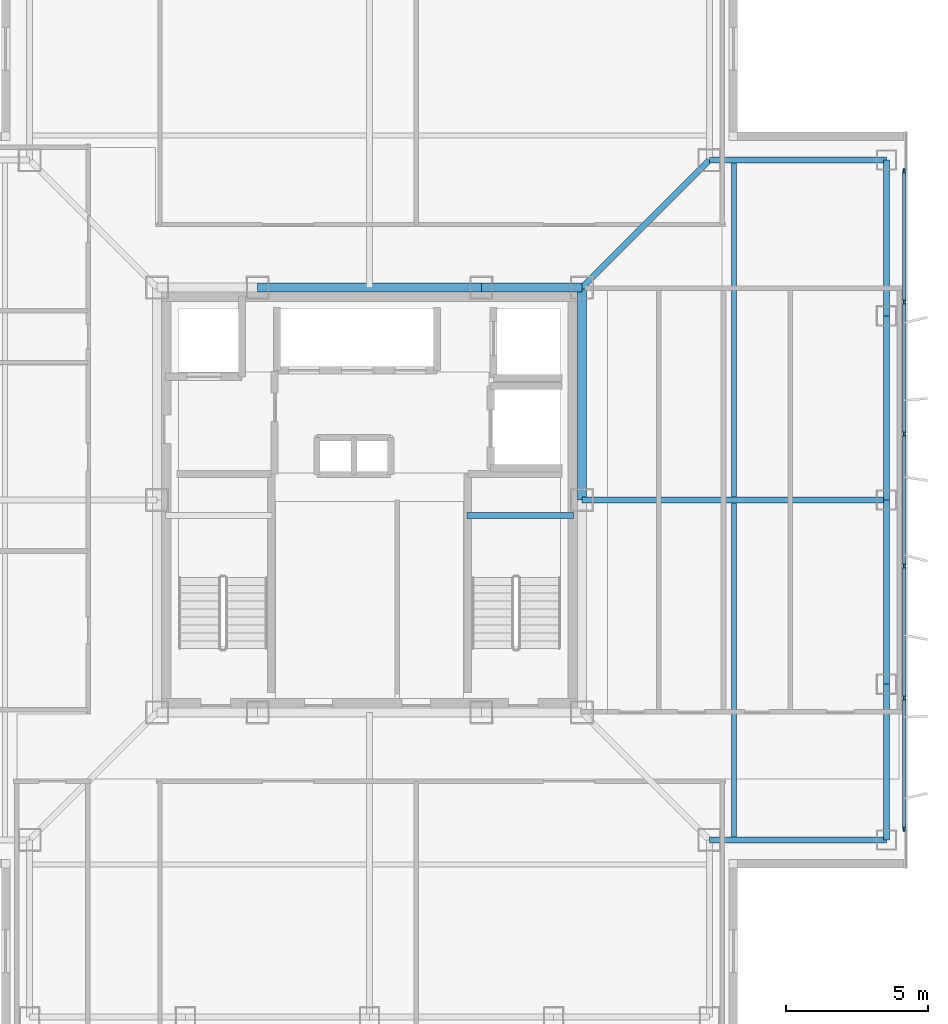
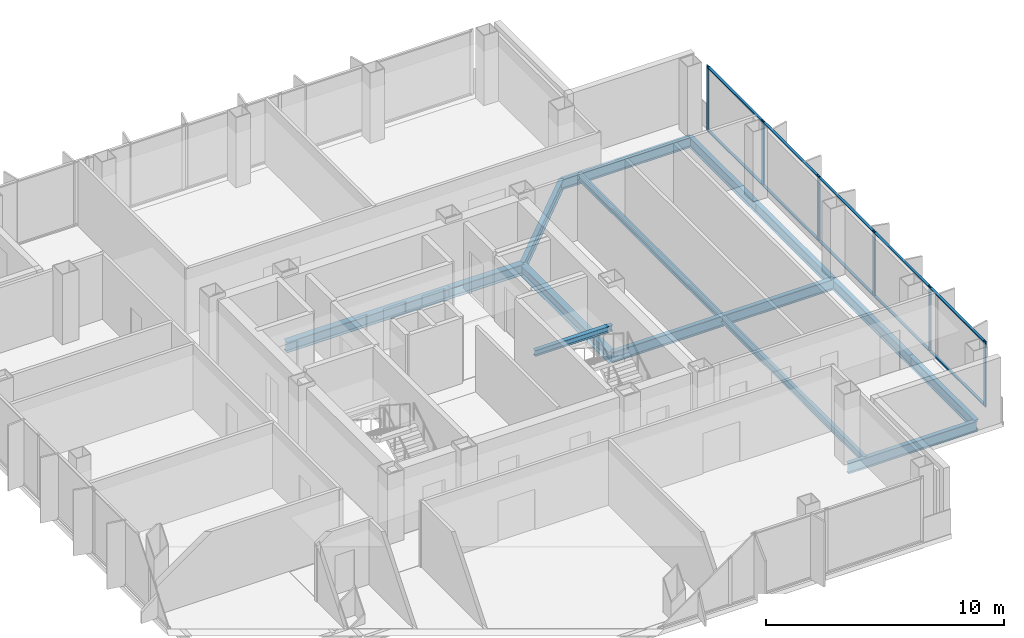
# One storey, part 5 of 15: 16 members, 13 beams, 1 element without a shape of its own.
"""IFC4 building model written with IfcOpenShell, lengths in metres."""

import ifcopenshell
import ifcopenshell.guid

model = None  # the IFC model being written
_history = None  # IfcOwnerHistory: only IFC2X3 demands one
_inside = {}  # id of a spatial element -> (the spatial element, [elements in it])
_under = {}  # id of a project, library or spatial element -> (it, [spatial elements below it])
_declared = {}  # id of a project -> (the project, [libraries it declares])
_typed = {}  # id of a type object -> (the type object, [elements of that type])
_made_of = {}  # id of a material, layer set ... -> (it, [elements and type objects made of it])


def new_model(schema):
    """Start an empty IFC model of exactly this schema.

    Asked for "IFC4X3", IfcOpenShell would pick the latest addendum, in which some entities
    have other attributes; the version numbers below select the first issue.
    IFC2X3 requires an IfcOwnerHistory on every rooted entity: one is made here for all.
    """
    global model, _history
    if schema == "IFC4X3":
        model = ifcopenshell.file(schema_version=(4, 3, 0, 0))
    else:
        model = ifcopenshell.file(schema=schema)
    _inside.clear()
    _under.clear()
    _declared.clear()
    _typed.clear()
    _made_of.clear()
    _history = None
    if model.schema == "IFC2X3":
        org = make("IfcOrganization", Name="unknown")
        user = make(
            "IfcPersonAndOrganization",
            ThePerson=make("IfcPerson", FamilyName="unknown"),
            TheOrganization=org,
        )
        app = make(
            "IfcApplication",
            ApplicationDeveloper=org,
            Version="unknown",
            ApplicationFullName="unknown",
            ApplicationIdentifier="unknown",
        )
        _history = make(
            "IfcOwnerHistory",
            OwningUser=user,
            OwningApplication=app,
            ChangeAction="ADDED",
            CreationDate=0,
        )
    return model


def make(cls, **values):
    """One entity of the class cls with the attributes given. An attribute that is None is left unset."""
    return model.create_entity(
        cls, **{name: value for name, value in values.items() if value is not None}
    )


def rooted(cls, **values):
    """An entity with a GlobalId (a new one), such as an element, a storey or a relation."""
    return make(cls, GlobalId=ifcopenshell.guid.new(), OwnerHistory=_history, **values)


def si_unit(unit_type, name, prefix=None):
    """IfcSIUnit, for example si_unit("LENGTHUNIT", "METRE", prefix="MILLI")."""
    return make("IfcSIUnit", UnitType=unit_type, Prefix=prefix, Name=name)


def assignment(units):
    """IfcUnitAssignment: the units of a project."""
    return None if units is None else make("IfcUnitAssignment", Units=units)


def point(xyz):
    """IfcCartesianPoint."""
    return None if xyz is None else make("IfcCartesianPoint", Coordinates=xyz)


def direction(xyz):
    """IfcDirection."""
    return None if xyz is None else make("IfcDirection", DirectionRatios=xyz)


def frame(location, z_axis=None, x_axis=None):
    """IfcAxis2Placement3D, a coordinate frame: its origin and axes. An axis left out is left unset."""
    return make(
        "IfcAxis2Placement3D",
        Location=point(location),
        Axis=direction(z_axis),
        RefDirection=direction(x_axis),
    )


def frame_2d(location, x_axis=None):
    """IfcAxis2Placement2D, a coordinate frame in the plane: its origin and x axis."""
    return make(
        "IfcAxis2Placement2D", Location=point(location), RefDirection=direction(x_axis)
    )


def origin():
    """The frame at (0, 0, 0) with its axes left unset."""
    return frame((0.0, 0.0, 0.0))


def origin_2d():
    """The frame at (0, 0) in the plane with its x axis left unset."""
    return frame_2d((0.0, 0.0))


def place(relative_to, where):
    """IfcLocalPlacement: puts the frame where relative to a parent placement (None: the world)."""
    return make(
        "IfcLocalPlacement", PlacementRelTo=relative_to, RelativePlacement=where
    )


def context(
    kind, dimensions, precision=None, world=None, true_north=None, identifier=None
):
    """IfcGeometricRepresentationContext, for example the 3D "Model" context."""
    return make(
        "IfcGeometricRepresentationContext",
        ContextIdentifier=identifier,
        ContextType=kind,
        CoordinateSpaceDimension=dimensions,
        Precision=precision,
        WorldCoordinateSystem=world,
        TrueNorth=true_north,
    )


def subcontext(parent, identifier, kind, view, scale=None):
    """IfcGeometricRepresentationSubContext, for example "Body" below "Model"."""
    return make(
        "IfcGeometricRepresentationSubContext",
        ContextIdentifier=identifier,
        ContextType=kind,
        ParentContext=parent,
        TargetScale=scale,
        TargetView=view,
    )


def project(units=None, contexts=None):
    """IfcProject with its units and contexts."""
    return rooted(
        "IfcProject",
        Name="project",
        RepresentationContexts=contexts,
        UnitsInContext=assignment(units),
    )


def spatial(cls, under=None, at=None, **own):
    """A site, building, storey or space (cls), placed at a placement, below another one or the project."""
    s = rooted(cls, ObjectPlacement=at, **own)
    if under is not None:
        _under.setdefault(under.id(), (under, []))[1].append(s)
    return s


def profile(cls, at=None, kind="AREA", **sizes):
    """A parametric profile (cls). Its sizes go by their IFC names, for example OverallWidth=200.0."""
    return make(cls, ProfileType=kind, Position=at, **sizes)


def rectangle(**sizes):
    """IfcRectangleProfileDef."""
    return profile("IfcRectangleProfileDef", **sizes)


def i_section(**sizes):
    """IfcIShapeProfileDef."""
    return profile("IfcIShapeProfileDef", **sizes)


def extrude(swept, where, along, depth):
    """IfcExtrudedAreaSolid: the profile swept, set in the frame where, extruded along a direction by depth."""
    return make(
        "IfcExtrudedAreaSolid",
        SweptArea=swept,
        Position=where,
        ExtrudedDirection=direction(along),
        Depth=depth,
    )


def shape(context_of_items, identifier, shape_type, items):
    """IfcShapeRepresentation: the items that make up one representation, for example the "Body"."""
    return make(
        "IfcShapeRepresentation",
        ContextOfItems=context_of_items,
        RepresentationIdentifier=identifier,
        RepresentationType=shape_type,
        Items=items,
    )


def material(Name=None, Category=None):
    """IfcMaterial."""
    return make("IfcMaterial", Name=Name, Category=Category)


def layer(
    of_material, thickness, ventilated=None, Name=None, Category=None, Priority=None
):
    """IfcMaterialLayer: one layer of a wall or slab, of a material (None: an air gap)."""
    return make(
        "IfcMaterialLayer",
        Material=of_material,
        LayerThickness=thickness,
        IsVentilated=ventilated,
        Name=Name,
        Category=Category,
        Priority=Priority,
    )


def layer_set(layers, Name=None):
    """IfcMaterialLayerSet."""
    return make("IfcMaterialLayerSet", MaterialLayers=layers, LayerSetName=Name)


def material_profile(
    of_material, cross_section, Name=None, Category=None, Priority=None
):
    """IfcMaterialProfile: a cross section and its material."""
    return make(
        "IfcMaterialProfile",
        Name=Name,
        Material=of_material,
        Profile=cross_section,
        Priority=Priority,
        Category=Category,
    )


def profile_set(profiles, Name=None, composite=None):
    """IfcMaterialProfileSet."""
    return make(
        "IfcMaterialProfileSet",
        Name=Name,
        MaterialProfiles=profiles,
        CompositeProfile=composite,
    )


def made_of(thing, what):
    """Note that an element or type object is made of a material, layer set ...; save() writes the relation."""
    if what is not None:
        _made_of.setdefault(what.id(), (what, []))[1].append(thing)
    return thing


def type_object(cls, material=None, **own):
    """A type object (cls), such as IfcWallType, which elements share."""
    return made_of(rooted(cls, **own), material)


def element(
    cls,
    number,
    at=None,
    inside=None,
    cuts=None,
    type_object=None,
    material=None,
    context=None,
    identifier="Body",
    shape_type=None,
    held_by="IfcProductDefinitionShape",
    body=None,
    shapes=None,
    **own,
):
    """One element of the class cls, such as IfcWall. Its Tag is "e" and its number.

    at: its placement. inside: the storey or other place that contains it. cuts: it is an
    opening in that element (IfcRelVoidsElement). A single representation is given by context,
    identifier, shape_type and body (its items); several are given by shapes. held_by: the class
    of the entity that holds the representations. save() writes the other relations.
    """
    e = rooted(cls, Tag="e%d" % number, ObjectPlacement=at, **own)
    if body is not None:
        shapes = [shape(context, identifier, shape_type, body)]
    if shapes is not None:
        e.Representation = make(held_by, Representations=shapes)
    if inside is not None:
        _inside.setdefault(inside.id(), (inside, []))[1].append(e)
    if cuts is not None:
        rooted(
            "IfcRelVoidsElement", RelatingBuildingElement=cuts, RelatedOpeningElement=e
        )
    if type_object is not None:
        _typed.setdefault(type_object.id(), (type_object, []))[1].append(e)
    return made_of(e, material)


def aggregate(whole, parts):
    """IfcRelAggregates: a whole, such as a stair, and the parts it consists of."""
    return rooted("IfcRelAggregates", RelatingObject=whole, RelatedObjects=parts)


def save(model, path):
    """Write the relations noted so far, then the file.

    IfcRelAggregates (storeys below a building ...), IfcRelContainedInSpatialStructure (elements
    in a storey), IfcRelDefinesByType, IfcRelAssociatesMaterial and IfcRelDeclares: one each for
    every whole, place, type object, material and project.
    """
    for whole, parts in _under.values():
        aggregate(whole, parts)
    for where, things in _inside.values():
        rooted(
            "IfcRelContainedInSpatialStructure",
            RelatedElements=things,
            RelatingStructure=where,
        )
    for kind, things in _typed.values():
        rooted("IfcRelDefinesByType", RelatedObjects=things, RelatingType=kind)
    for what, things in _made_of.values():
        rooted("IfcRelAssociatesMaterial", RelatedObjects=things, RelatingMaterial=what)
    for by, libraries in _declared.values():
        rooted("IfcRelDeclares", RelatingContext=by, RelatedDefinitions=libraries)
    model.write(path)


model = new_model("IFC4")

# Units and contexts
model_context = context("Model", 3, precision=1e-05, world=origin(), true_north=direction((0.0, 1.0)))
body_context = subcontext(model_context, "Body", "Model", "MODEL_VIEW")
ifc_project = project(units=[si_unit("LENGTHUNIT", "METRE"), si_unit("AREAUNIT", "SQUARE_METRE"), si_unit("VOLUMEUNIT", "CUBIC_METRE"), si_unit("PLANEANGLEUNIT", "RADIAN"), si_unit("MASSUNIT", "GRAM", prefix="KILO")], contexts=[model_context])

# Site, building, storey
site_placement = place(None, origin())
site = spatial("IfcSite", under=ifc_project, at=site_placement, CompositionType="ELEMENT")
building_placement = place(site_placement, origin())
building = spatial("IfcBuilding", under=site, at=building_placement, Name="Trevonay Congress Spire", CompositionType="ELEMENT")
storey_placement = place(building_placement, frame((0.0, 0.0, 282.800048828125)))
storey = spatial("IfcBuildingStorey", under=building, at=storey_placement, Name="L74", CompositionType="ELEMENT", Elevation=282.800048828125)

# Beams
ifc_material_1 = material(Name="Steel ASTM A572 Grade 50", Category="steel")
ifc_material_profile_1 = material_profile(ifc_material_1, i_section(OverallWidth=0.2119140625, OverallDepth=0.5439453125, WebThickness=0.01318359375, FlangeThickness=0.021240234375, FilletRadius=0.014892578125, at=origin_2d()), Name="W530x123")
ifc_profile_set_1 = profile_set([ifc_material_profile_1], Name="Steel ASTM A572 Grade 50")
beam_type_1 = type_object("IfcBeamType", Name="BM-GIRD-W530X123", PredefinedType="BEAM", material=ifc_profile_set_1)
beam_1_placement = place(storey_placement, frame((7.5, 7.5, -0.511962890625), z_axis=(0.707106781187, 0.707106781187, 0.0), x_axis=(-0.707106781187, 0.707106781187, 0.0)))
element("IfcBeam", 1, at=beam_1_placement, inside=storey, type_object=beam_type_1, Name="L74 structural beam BM-L74-CDNE", PredefinedType="BEAM", context=body_context, shape_type="SweptSolid", body=[
    extrude(i_section(OverallWidth=0.2119140625, OverallDepth=0.5439453125, WebThickness=0.01318359375, FlangeThickness=0.021240234375, FilletRadius=0.014892578125, at=origin_2d()), origin(), (0.0, 0.0, 1.0), 6.364013671875),
])
beam_2_placement = place(storey_placement, frame((7.5, 0.0, -0.511962890625), z_axis=(1.0, 0.0, 0.0), x_axis=(0.0, 1.0, 0.0)))
element("IfcBeam", 2, at=beam_2_placement, inside=storey, type_object=beam_type_1, Name="L74 structural beam BM-L74-GC-E", PredefinedType="BEAM", context=body_context, shape_type="SweptSolid", body=[
    extrude(i_section(OverallWidth=0.2119140625, OverallDepth=0.5439453125, WebThickness=0.01318359375, FlangeThickness=0.021240234375, FilletRadius=0.014892578125, at=origin_2d()), origin(), (0.0, 0.0, 1.0), 10.75),
])
ifc_material_profile_2 = material_profile(ifc_material_1, i_section(OverallWidth=0.31201171875, OverallDepth=0.54296875, WebThickness=0.0126953125, FlangeThickness=0.020263671875, FilletRadius=0.014892578125, at=origin_2d()), Name="W530x150")
ifc_profile_set_2 = profile_set([ifc_material_profile_2], Name="Steel ASTM A572 Grade 50")
beam_type_2 = type_object("IfcBeamType", Name="BM-GIRD-W530X150", PredefinedType="BEAM", material=ifc_profile_set_2)
beam_3_placement = place(storey_placement, frame((-3.949951171875, 7.5, -0.511474609375), z_axis=(1.0, 0.0, 0.0), x_axis=(0.0, 1.0, 0.0)))
element("IfcBeam", 3, at=beam_3_placement, inside=storey, type_object=beam_type_2, Name="L74 structural beam BM-L74-CR-N2", PredefinedType="BEAM", context=body_context, shape_type="SweptSolid", body=[
    extrude(i_section(OverallWidth=0.31201171875, OverallDepth=0.54296875, WebThickness=0.0126953125, FlangeThickness=0.020263671875, FilletRadius=0.014892578125, at=origin_2d()), origin(), (0.0, 0.0, 1.0), 7.89990234375),
])
beam_4_placement = place(storey_placement, frame((3.949951171875, 7.5, -0.511474609375), z_axis=(1.0, 0.0, 0.0), x_axis=(0.0, 1.0, 0.0)))
element("IfcBeam", 4, at=beam_4_placement, inside=storey, type_object=beam_type_2, Name="L74 structural beam BM-L74-CR-N3", PredefinedType="BEAM", context=body_context, shape_type="SweptSolid", body=[
    extrude(i_section(OverallWidth=0.31201171875, OverallDepth=0.54296875, WebThickness=0.0126953125, FlangeThickness=0.020263671875, FilletRadius=0.014892578125, at=origin_2d()), origin(), (0.0, 0.0, 1.0), 3.550048828125),
])
beam_5_placement = place(storey_placement, frame((7.5, 0.0, -0.511474609375), z_axis=(0.0, 1.0, 0.0), x_axis=(-1.0, 0.0, 0.0)))
element("IfcBeam", 5, at=beam_5_placement, inside=storey, type_object=beam_type_2, Name="L74 structural beam BM-L74-CR-E2", PredefinedType="BEAM", context=body_context, shape_type="SweptSolid", body=[
    extrude(i_section(OverallWidth=0.31201171875, OverallDepth=0.54296875, WebThickness=0.0126953125, FlangeThickness=0.020263671875, FilletRadius=0.014892578125, at=origin_2d()), origin(), (0.0, 0.0, 1.0), 7.5),
])
ifc_material_profile_3 = material_profile(ifc_material_1, i_section(OverallWidth=0.208984375, OverallDepth=0.532958984375, WebThickness=0.01025390625, FlangeThickness=0.015625, FilletRadius=0.014892578125, at=origin_2d()), Name="W530x92")
ifc_profile_set_3 = profile_set([ifc_material_profile_3], Name="Steel ASTM A572 Grade 50")
beam_type_3 = type_object("IfcBeamType", Name="BM-RING-W530X92", PredefinedType="BEAM", material=ifc_profile_set_3)
beam_6_placement = place(storey_placement, frame((18.25, -12.0, -0.506591796875), z_axis=(0.0, 1.0, 0.0), x_axis=(-1.0, 0.0, 0.0)))
element("IfcBeam", 6, at=beam_6_placement, inside=storey, type_object=beam_type_3, Name="L74 structural beam BM-L74-PE1", PredefinedType="BEAM", context=body_context, shape_type="SweptSolid", body=[
    extrude(i_section(OverallWidth=0.208984375, OverallDepth=0.532958984375, WebThickness=0.01025390625, FlangeThickness=0.015625, FilletRadius=0.014892578125, at=origin_2d()), origin(), (0.0, 0.0, 1.0), 5.5),
])
for number, where, z_axis, x_axis, name in (
    (7, (18.25, -6.5, -0.506591796875), (0.0, 1.0, 0.0), (-1.0, 0.0, 0.0), "L74 structural beam BM-L74-PE2"),
    (8, (18.25, 0.0, -0.506591796875), (0.0, 1.0, 0.0), (-1.0, 0.0, 0.0), "L74 structural beam BM-L74-PE3"),
):
    element("IfcBeam", number, at=place(storey_placement, frame(where, z_axis=z_axis, x_axis=x_axis)), inside=storey, type_object=beam_type_3, Name=name, PredefinedType="BEAM", context=body_context, shape_type="SweptSolid", body=[
        extrude(i_section(OverallWidth=0.208984375, OverallDepth=0.532958984375, WebThickness=0.01025390625, FlangeThickness=0.015625, FilletRadius=0.014892578125, at=origin_2d()), origin(), (0.0, 0.0, 1.0), 6.5),
    ])
beam_7_placement = place(storey_placement, frame((18.25, 6.5, -0.506591796875), z_axis=(0.0, 1.0, 0.0), x_axis=(-1.0, 0.0, 0.0)))
element("IfcBeam", 9, at=beam_7_placement, inside=storey, type_object=beam_type_3, Name="L74 structural beam BM-L74-PE4", PredefinedType="BEAM", context=body_context, shape_type="SweptSolid", body=[
    extrude(i_section(OverallWidth=0.208984375, OverallDepth=0.532958984375, WebThickness=0.01025390625, FlangeThickness=0.015625, FilletRadius=0.014892578125, at=origin_2d()), origin(), (0.0, 0.0, 1.0), 5.5),
])
for number, where, z_axis, x_axis, name in (
    (10, (18.25, -12.0, -0.506591796875), (-1.0, 0.0, 0.0), (0.0, -1.0, 0.0), "L74 structural beam BM-L74-N2SE"),
    (11, (18.25, 12.0, -0.506591796875), (-1.0, 0.0, 0.0), (0.0, -1.0, 0.0), "L74 structural beam BM-L74-N2NE"),
):
    element("IfcBeam", number, at=place(storey_placement, frame(where, z_axis=z_axis, x_axis=x_axis)), inside=storey, type_object=beam_type_3, Name=name, PredefinedType="BEAM", context=body_context, shape_type="SweptSolid", body=[
        extrude(i_section(OverallWidth=0.208984375, OverallDepth=0.532958984375, WebThickness=0.01025390625, FlangeThickness=0.015625, FilletRadius=0.014892578125, at=origin_2d()), origin(), (0.0, 0.0, 1.0), 6.25),
    ])

# Curtain wall, members
ifc_material_2 = material(Name="Pale Anodised Aluminium EN AW-6063-T6", Category="aluminium")
ifc_layer = layer(ifc_material_2, 0.1650390625, Name="Pale Anodised Aluminium EN AW-6063-T6")
ifc_layer_set = layer_set([ifc_layer], Name="Pale Anodised Aluminium EN AW-6063-T6")
curtain_wall_type = type_object("IfcCurtainWallType", Name="CW-SYS05-DIPLOM-PALE-METAL", PredefinedType="NOTDEFINED", material=ifc_layer_set)
curtain_wall_placement = place(storey_placement, origin())
curtain_wall = element("IfcCurtainWall", 12, at=curtain_wall_placement, inside=storey, type_object=curtain_wall_type, Name="L74 E unitised curtain wall", PredefinedType="NOTDEFINED")
ifc_material_profile_4 = material_profile(ifc_material_2, rectangle(XDim=0.06005859375, YDim=0.159912109375, at=origin_2d()), Name="CW-MULLION-160-ALUMINIUM")
ifc_profile_set_4 = profile_set([ifc_material_profile_4], Name="Pale Anodised Aluminium EN AW-6063-T6")
member_type_1 = type_object("IfcMemberType", Name="CW-MULLION-160-ALUMINIUM", PredefinedType="MULLION", material=ifc_profile_set_4)
member_1_placement = place(storey_placement, frame((18.8798828125, -11.6201171875, 0.0), z_axis=(0.0, 0.0, 1.0), x_axis=(-1.0, 0.0, 0.0)))
member_1 = element("IfcMember", 13, at=member_1_placement, type_object=member_type_1, Name="CW05 mullion 1", PredefinedType="MULLION", context=body_context, shape_type="SweptSolid", body=[
    extrude(rectangle(XDim=0.06005859375, YDim=0.159912109375, at=origin_2d()), origin(), (0.0, 0.0, 1.0), 3.35986328125),
])
member_2_placement = place(storey_placement, frame((18.8798828125, -6.989990234375, 0.0), z_axis=(0.0, 0.0, 1.0), x_axis=(-1.0, 0.0, 0.0)))
member_2 = element("IfcMember", 14, at=member_2_placement, type_object=member_type_1, Name="CW05 mullion 2", PredefinedType="MULLION", context=body_context, shape_type="SweptSolid", body=[
    extrude(rectangle(XDim=0.06005859375, YDim=0.159912109375, at=origin_2d()), origin(), (0.0, 0.0, 1.0), 3.35986328125),
])
member_3_placement = place(storey_placement, frame((18.8798828125, -2.330078125, 0.0), z_axis=(0.0, 0.0, 1.0), x_axis=(-1.0, 0.0, 0.0)))
member_3 = element("IfcMember", 15, at=member_3_placement, type_object=member_type_1, Name="CW05 mullion 3", PredefinedType="MULLION", context=body_context, shape_type="SweptSolid", body=[
    extrude(rectangle(XDim=0.06005859375, YDim=0.159912109375, at=origin_2d()), origin(), (0.0, 0.0, 1.0), 3.35986328125),
])
member_4_placement = place(storey_placement, frame((18.8798828125, 2.330078125, 0.0), z_axis=(0.0, 0.0, 1.0), x_axis=(-1.0, 0.0, 0.0)))
member_4 = element("IfcMember", 16, at=member_4_placement, type_object=member_type_1, Name="CW05 mullion 4", PredefinedType="MULLION", context=body_context, shape_type="SweptSolid", body=[
    extrude(rectangle(XDim=0.06005859375, YDim=0.159912109375, at=origin_2d()), origin(), (0.0, 0.0, 1.0), 3.35986328125),
])
member_5_placement = place(storey_placement, frame((18.8798828125, 6.989990234375, 0.0), z_axis=(0.0, 0.0, 1.0), x_axis=(-1.0, 0.0, 0.0)))
member_5 = element("IfcMember", 17, at=member_5_placement, type_object=member_type_1, Name="CW05 mullion 5", PredefinedType="MULLION", context=body_context, shape_type="SweptSolid", body=[
    extrude(rectangle(XDim=0.06005859375, YDim=0.159912109375, at=origin_2d()), origin(), (0.0, 0.0, 1.0), 3.35986328125),
])
member_6_placement = place(storey_placement, frame((18.8798828125, 11.6201171875, 0.0), z_axis=(0.0, 0.0, 1.0), x_axis=(-1.0, 0.0, 0.0)))
member_6 = element("IfcMember", 18, at=member_6_placement, type_object=member_type_1, Name="CW05 mullion 6", PredefinedType="MULLION", context=body_context, shape_type="SweptSolid", body=[
    extrude(rectangle(XDim=0.06005859375, YDim=0.159912109375, at=origin_2d()), origin(), (0.0, 0.0, 1.0), 3.35986328125),
])
ifc_material_profile_5 = material_profile(ifc_material_2, rectangle(XDim=0.1201171875, YDim=0.06005859375, at=origin_2d()), Name="CW-TRANSOM-120-ALUMINIUM")
ifc_profile_set_5 = profile_set([ifc_material_profile_5], Name="Pale Anodised Aluminium EN AW-6063-T6")
member_type_2 = type_object("IfcMemberType", Name="CW-TRANSOM-120-ALUMINIUM", PredefinedType="USERDEFINED", material=ifc_profile_set_5)
member_7_placement = place(storey_placement, frame((18.8798828125, -11.590087890625, 0.06005859375), z_axis=(0.0, 1.0, 0.0), x_axis=(-1.0, 0.0, 0.0)))
member_7 = element("IfcMember", 19, at=member_7_placement, type_object=member_type_2, Name="CW05 transom 1.1", ObjectType="TRANSOM", PredefinedType="USERDEFINED", context=body_context, shape_type="SweptSolid", body=[
    extrude(rectangle(XDim=0.1201171875, YDim=0.06005859375, at=origin_2d()), origin(), (0.0, 0.0, 1.0), 4.570068359375),
])
member_8_placement = place(storey_placement, frame((18.8798828125, -11.590087890625, 3.300048828125), z_axis=(0.0, 1.0, 0.0), x_axis=(-1.0, 0.0, 0.0)))
member_8 = element("IfcMember", 20, at=member_8_placement, type_object=member_type_2, Name="CW05 transom 1.2", ObjectType="TRANSOM", PredefinedType="USERDEFINED", context=body_context, shape_type="SweptSolid", body=[
    extrude(rectangle(XDim=0.1201171875, YDim=0.06005859375, at=origin_2d()), origin(), (0.0, 0.0, 1.0), 4.570068359375),
])
member_9_placement = place(storey_placement, frame((18.8798828125, -6.9599609375, 0.06005859375), z_axis=(0.0, 1.0, 0.0), x_axis=(-1.0, 0.0, 0.0)))
member_9 = element("IfcMember", 21, at=member_9_placement, type_object=member_type_2, Name="CW05 transom 2.1", ObjectType="TRANSOM", PredefinedType="USERDEFINED", context=body_context, shape_type="SweptSolid", body=[
    extrude(rectangle(XDim=0.1201171875, YDim=0.06005859375, at=origin_2d()), origin(), (0.0, 0.0, 1.0), 4.599853515625),
])
member_10_placement = place(storey_placement, frame((18.8798828125, -6.9599609375, 3.300048828125), z_axis=(0.0, 1.0, 0.0), x_axis=(-1.0, 0.0, 0.0)))
member_10 = element("IfcMember", 22, at=member_10_placement, type_object=member_type_2, Name="CW05 transom 2.2", ObjectType="TRANSOM", PredefinedType="USERDEFINED", context=body_context, shape_type="SweptSolid", body=[
    extrude(rectangle(XDim=0.1201171875, YDim=0.06005859375, at=origin_2d()), origin(), (0.0, 0.0, 1.0), 4.599853515625),
])
member_11_placement = place(storey_placement, frame((18.8798828125, -2.300048828125, 0.06005859375), z_axis=(0.0, 1.0, 0.0), x_axis=(-1.0, 0.0, 0.0)))
member_11 = element("IfcMember", 23, at=member_11_placement, type_object=member_type_2, Name="CW05 transom 3.1", ObjectType="TRANSOM", PredefinedType="USERDEFINED", context=body_context, shape_type="SweptSolid", body=[
    extrude(rectangle(XDim=0.1201171875, YDim=0.06005859375, at=origin_2d()), origin(), (0.0, 0.0, 1.0), 4.60009765625),
])
member_12_placement = place(storey_placement, frame((18.8798828125, -2.300048828125, 3.300048828125), z_axis=(0.0, 1.0, 0.0), x_axis=(-1.0, 0.0, 0.0)))
member_12 = element("IfcMember", 24, at=member_12_placement, type_object=member_type_2, Name="CW05 transom 3.2", ObjectType="TRANSOM", PredefinedType="USERDEFINED", context=body_context, shape_type="SweptSolid", body=[
    extrude(rectangle(XDim=0.1201171875, YDim=0.06005859375, at=origin_2d()), origin(), (0.0, 0.0, 1.0), 4.60009765625),
])
member_13_placement = place(storey_placement, frame((18.8798828125, 2.360107421875, 0.06005859375), z_axis=(0.0, 1.0, 0.0), x_axis=(-1.0, 0.0, 0.0)))
member_13 = element("IfcMember", 25, at=member_13_placement, type_object=member_type_2, Name="CW05 transom 4.1", ObjectType="TRANSOM", PredefinedType="USERDEFINED", context=body_context, shape_type="SweptSolid", body=[
    extrude(rectangle(XDim=0.1201171875, YDim=0.06005859375, at=origin_2d()), origin(), (0.0, 0.0, 1.0), 4.599853515625),
])
member_14_placement = place(storey_placement, frame((18.8798828125, 2.360107421875, 3.300048828125), z_axis=(0.0, 1.0, 0.0), x_axis=(-1.0, 0.0, 0.0)))
member_14 = element("IfcMember", 26, at=member_14_placement, type_object=member_type_2, Name="CW05 transom 4.2", ObjectType="TRANSOM", PredefinedType="USERDEFINED", context=body_context, shape_type="SweptSolid", body=[
    extrude(rectangle(XDim=0.1201171875, YDim=0.06005859375, at=origin_2d()), origin(), (0.0, 0.0, 1.0), 4.599853515625),
])
member_15_placement = place(storey_placement, frame((18.8798828125, 7.02001953125, 0.06005859375), z_axis=(0.0, 1.0, 0.0), x_axis=(-1.0, 0.0, 0.0)))
member_15 = element("IfcMember", 27, at=member_15_placement, type_object=member_type_2, Name="CW05 transom 5.1", ObjectType="TRANSOM", PredefinedType="USERDEFINED", context=body_context, shape_type="SweptSolid", body=[
    extrude(rectangle(XDim=0.1201171875, YDim=0.06005859375, at=origin_2d()), origin(), (0.0, 0.0, 1.0), 4.570068359375),
])
member_16_placement = place(storey_placement, frame((18.8798828125, 7.02001953125, 3.300048828125), z_axis=(0.0, 1.0, 0.0), x_axis=(-1.0, 0.0, 0.0)))
member_16 = element("IfcMember", 28, at=member_16_placement, type_object=member_type_2, Name="CW05 transom 5.2", ObjectType="TRANSOM", PredefinedType="USERDEFINED", context=body_context, shape_type="SweptSolid", body=[
    extrude(rectangle(XDim=0.1201171875, YDim=0.06005859375, at=origin_2d()), origin(), (0.0, 0.0, 1.0), 4.570068359375),
])
aggregate(curtain_wall, [member_1, member_2, member_3, member_4, member_5, member_6, member_7, member_8, member_9, member_10, member_11, member_12, member_13, member_14, member_15, member_16])

# Beams
ifc_material_profile_6 = material_profile(ifc_material_1, i_section(OverallWidth=0.172119140625, OverallDepth=0.35791015625, WebThickness=0.0078125, FlangeThickness=0.01318359375, FilletRadius=0.011962890625, at=origin_2d()), Name="W360x57.8")
ifc_profile_set_6 = profile_set([ifc_material_profile_6], Name="Steel ASTM A572 Grade 50")
beam_type_4 = type_object("IfcBeamType", Name="JS-COMP-W360X57", PredefinedType="JOIST", material=ifc_profile_set_6)
beam_8_placement = place(storey_placement, frame((12.875, -12.0, -0.4189453125), z_axis=(0.0, 1.0, 0.0), x_axis=(-1.0, 0.0, 0.0)))
element("IfcBeam", 29, at=beam_8_placement, inside=storey, type_object=beam_type_4, Name="L74 structural beam JS-L74-RING-E", PredefinedType="JOIST", context=body_context, shape_type="SweptSolid", body=[
    extrude(i_section(OverallWidth=0.172119140625, OverallDepth=0.35791015625, WebThickness=0.0078125, FlangeThickness=0.01318359375, FilletRadius=0.011962890625, at=origin_2d()), origin(), (0.0, 0.0, 1.0), 24.0),
])
ifc_material_profile_7 = material_profile(ifc_material_1, i_section(OverallWidth=0.2041015625, OverallDepth=0.305908203125, WebThickness=0.008544921875, FlangeThickness=0.0146484375, FilletRadius=0.010986328125, at=origin_2d()), Name="W310x67")
ifc_profile_set_7 = profile_set([ifc_material_profile_7], Name="Steel ASTM A572 Grade 50")
beam_type_5 = type_object("IfcBeamType", Name="LN-CORE-W310X67", PredefinedType="LINTEL", material=ifc_profile_set_7)
beam_9_placement = place(storey_placement, frame((3.449951171875, -0.550048828125, 1.447021484375), z_axis=(1.0, 0.0, 0.0), x_axis=(0.0, 1.0, 0.0)))
element("IfcBeam", 30, at=beam_9_placement, inside=storey, type_object=beam_type_5, Name="L74 structural beam BM-L74-HL-ST2", PredefinedType="LINTEL", context=body_context, shape_type="SweptSolid", body=[
    extrude(i_section(OverallWidth=0.2041015625, OverallDepth=0.305908203125, WebThickness=0.008544921875, FlangeThickness=0.0146484375, FilletRadius=0.010986328125, at=origin_2d()), origin(), (0.0, 0.0, 1.0), 3.75),
])

save(model, "model.ifc")
